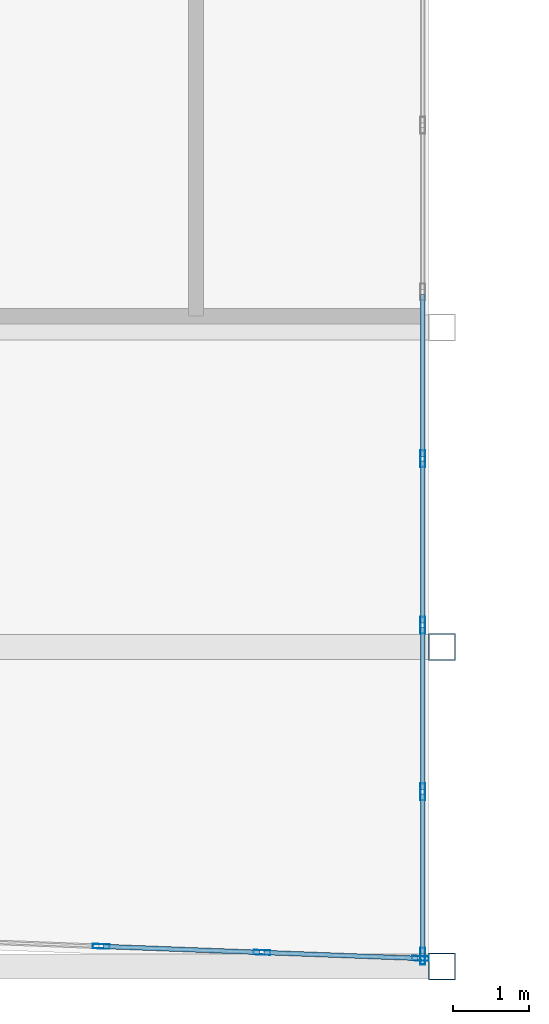
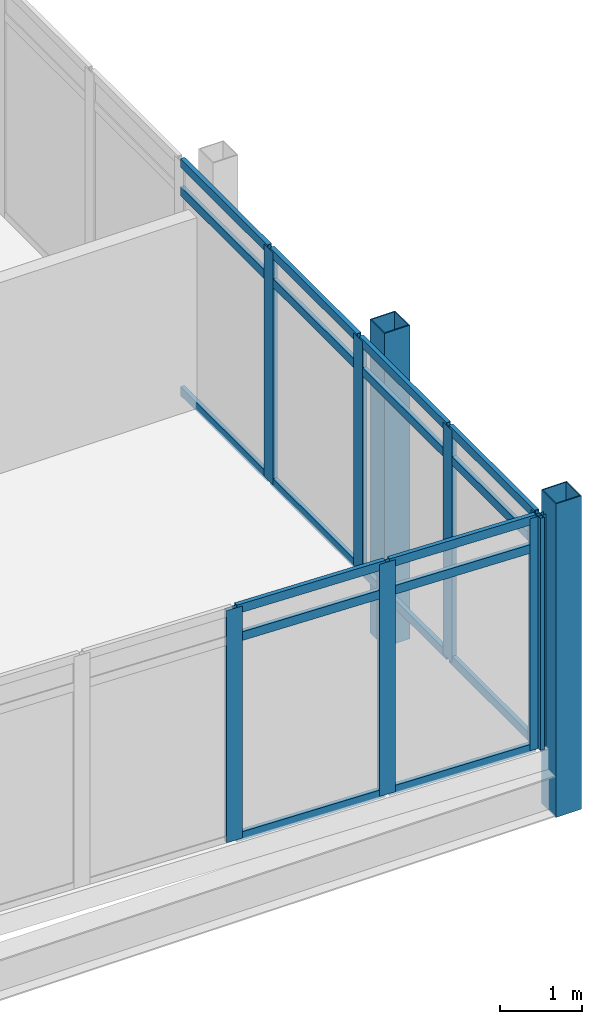
# One storey, part 6 of 25: 27 members, 2 elements without a shape of their own.
"""IFC4 building model written with IfcOpenShell, lengths in metres."""

from ifc_helpers import new_model, si_unit, direction, frame, origin, origin_2d, place, context, subcontext, project, spatial, hollow_rectangle, extrude, material, material_profile, profile_set, type_object, element, aggregate, save


model = new_model("IFC4")

# Units and contexts
model_context = context("Model", 3, precision=1e-05, world=origin(), true_north=direction((0.0, 1.0)))
body_context = subcontext(model_context, "Body", "Model", "MODEL_VIEW")
ifc_project = project(units=[si_unit("LENGTHUNIT", "METRE"), si_unit("AREAUNIT", "SQUARE_METRE"), si_unit("VOLUMEUNIT", "CUBIC_METRE"), si_unit("PLANEANGLEUNIT", "RADIAN"), si_unit("MASSUNIT", "GRAM", prefix="KILO")], contexts=[model_context])

# Site, building, storey
site_placement = place(None, origin())
site = spatial("IfcSite", under=ifc_project, at=site_placement, CompositionType="ELEMENT")
building_placement = place(site_placement, origin())
building = spatial("IfcBuilding", under=site, at=building_placement, Name="Ostrander Bayou Hotel Tower", CompositionType="ELEMENT")
storey_placement = place(building_placement, frame((0.0, 0.0, 233.25)))
storey = spatial("IfcBuildingStorey", under=building, at=storey_placement, Name="L58", CompositionType="ELEMENT", Elevation=233.25)

# Curtain wall, members
ifc_material_1 = material(Name="Aluminium and clear glass", Category="aluminium")
curtain_wall_type = type_object("IfcCurtainWallType", Name="CW-BAR glazed wall", PredefinedType="NOTDEFINED", material=ifc_material_1)
curtain_wall_1_placement = place(storey_placement, origin())
curtain_wall_1 = element("IfcCurtainWall", 1, at=curtain_wall_1_placement, inside=storey, type_object=curtain_wall_type, Name="CW-BAR L58:SB5S:T", PredefinedType="NOTDEFINED")
ifc_material_2 = material(Name="Aluminium", Category="aluminium")
ifc_material_profile_1 = material_profile(ifc_material_2, hollow_rectangle(XDim=0.06005859375, YDim=0.219970703125, WallThickness=0.00390625, at=origin_2d()))
ifc_profile_set_1 = profile_set([ifc_material_profile_1], Name="Aluminium")
member_type_1 = type_object("IfcMemberType", Name="CW-BR mullion 60 x 220 mm", PredefinedType="MULLION", material=ifc_profile_set_1)
member_1_placement = place(storey_placement, frame((6.307373046875, -29.23828125, 0.0), z_axis=(0.0, 0.0, 1.0), x_axis=(0.037757725854, 0.99928692283, 0.0)))
member_1 = element("IfcMember", 2, at=member_1_placement, type_object=member_type_1, Name="CW-BAR mullion 9", PredefinedType="MULLION", context=body_context, shape_type="SweptSolid", body=[
    extrude(hollow_rectangle(XDim=0.06005859375, YDim=0.219970703125, WallThickness=0.00390625, at=origin_2d()), origin(), (0.0, 0.0, 1.0), 3.449951171875),
])
member_2_placement = place(storey_placement, frame((8.40966796875, -29.31787109375, 0.0), z_axis=(0.0, 0.0, 1.0), x_axis=(0.037757725854, 0.99928692283, 0.0)))
member_2 = element("IfcMember", 3, at=member_2_placement, type_object=member_type_1, Name="CW-BAR mullion 10", PredefinedType="MULLION", context=body_context, shape_type="SweptSolid", body=[
    extrude(hollow_rectangle(XDim=0.06005859375, YDim=0.219970703125, WallThickness=0.00390625, at=origin_2d()), origin(), (0.0, 0.0, 1.0), 3.449951171875),
])
member_3_placement = place(storey_placement, frame((10.482177734375, -29.39599609375, 0.0), z_axis=(0.0, 0.0, 1.0), x_axis=(0.037757725854, 0.99928692283, 0.0)))
member_3 = element("IfcMember", 4, at=member_3_placement, type_object=member_type_1, Name="CW-BAR mullion 11", PredefinedType="MULLION", context=body_context, shape_type="SweptSolid", body=[
    extrude(hollow_rectangle(XDim=0.06005859375, YDim=0.219970703125, WallThickness=0.00390625, at=origin_2d()), origin(), (0.0, 0.0, 1.0), 3.449951171875),
])

curtain_wall_2_placement = place(storey_placement, origin())
curtain_wall_2 = element("IfcCurtainWall", 5, at=curtain_wall_2_placement, inside=storey, type_object=curtain_wall_type, Name="CW-BAR L58:SB5S:W", PredefinedType="NOTDEFINED")
member_4_placement = place(storey_placement, frame((10.51220703125, -22.8623046875, 0.0), z_axis=(0.0, 0.0, 1.0), x_axis=(1.0, 0.0, 0.0)))
member_4 = element("IfcMember", 6, at=member_4_placement, type_object=member_type_1, Name="CW-BAR mullion 7", PredefinedType="MULLION", context=body_context, shape_type="SweptSolid", body=[
    extrude(hollow_rectangle(XDim=0.06005859375, YDim=0.219970703125, WallThickness=0.00390625, at=origin_2d()), origin(), (0.0, 0.0, 1.0), 3.449951171875),
])
member_5_placement = place(storey_placement, frame((10.51220703125, -25.04052734375, 0.0), z_axis=(0.0, 0.0, 1.0), x_axis=(1.0, 0.0, 0.0)))
member_5 = element("IfcMember", 7, at=member_5_placement, type_object=member_type_1, Name="CW-BAR mullion 8", PredefinedType="MULLION", context=body_context, shape_type="SweptSolid", body=[
    extrude(hollow_rectangle(XDim=0.06005859375, YDim=0.219970703125, WallThickness=0.00390625, at=origin_2d()), origin(), (0.0, 0.0, 1.0), 3.449951171875),
])
member_6_placement = place(storey_placement, frame((10.51220703125, -27.218994140625, 0.0), z_axis=(0.0, 0.0, 1.0), x_axis=(1.0, 0.0, 0.0)))
member_6 = element("IfcMember", 8, at=member_6_placement, type_object=member_type_1, Name="CW-BAR mullion 9", PredefinedType="MULLION", context=body_context, shape_type="SweptSolid", body=[
    extrude(hollow_rectangle(XDim=0.06005859375, YDim=0.219970703125, WallThickness=0.00390625, at=origin_2d()), origin(), (0.0, 0.0, 1.0), 3.449951171875),
])
member_7_placement = place(storey_placement, frame((10.51220703125, -29.3671875, 0.0), z_axis=(0.0, 0.0, 1.0), x_axis=(1.0, 0.0, 0.0)))
member_7 = element("IfcMember", 9, at=member_7_placement, type_object=member_type_1, Name="CW-BAR mullion 10", PredefinedType="MULLION", context=body_context, shape_type="SweptSolid", body=[
    extrude(hollow_rectangle(XDim=0.06005859375, YDim=0.219970703125, WallThickness=0.00390625, at=origin_2d()), origin(), (0.0, 0.0, 1.0), 3.449951171875),
])

# Member
ifc_material_3 = material(Name="Aluminium", Category="aluminium")
ifc_material_profile_2 = material_profile(ifc_material_3, hollow_rectangle(XDim=0.06005859375, YDim=0.1298828125, WallThickness=0.00390625, at=origin_2d()))
ifc_profile_set_2 = profile_set([ifc_material_profile_2], Name="Aluminium")
member_type_2 = type_object("IfcMemberType", Name="CW-BR transom 60 x 130 mm", PredefinedType="USERDEFINED", material=ifc_profile_set_2)
member_8_placement = place(storey_placement, frame((6.33740234375, -29.239501953125, 0.030029296875), z_axis=(0.999287402917, -0.037745017849, 0.0), x_axis=(0.037745017849, 0.999287402917, 0.0)))
member_8 = element("IfcMember", 10, at=member_8_placement, type_object=member_type_2, Name="CW-BAR transom 9.1", ObjectType="TRANSOM", PredefinedType="USERDEFINED", context=body_context, shape_type="SweptSolid", body=[
    extrude(hollow_rectangle(XDim=0.06005859375, YDim=0.1298828125, WallThickness=0.00390625, at=origin_2d()), origin(), (0.0, 0.0, 1.0), 2.0439453125),
])

member_9_placement = place(storey_placement, frame((6.33740234375, -29.239501953125, 3.0), z_axis=(0.999287402917, -0.037745017849, 0.0), x_axis=(0.037745017849, 0.999287402917, 0.0)))
member_9 = element("IfcMember", 11, at=member_9_placement, type_object=member_type_2, Name="CW-BAR transom 9.2", ObjectType="TRANSOM", PredefinedType="USERDEFINED", context=body_context, shape_type="SweptSolid", body=[
    extrude(hollow_rectangle(XDim=0.06005859375, YDim=0.1298828125, WallThickness=0.00390625, at=origin_2d()), origin(), (0.0, 0.0, 1.0), 2.0439453125),
])

member_10_placement = place(storey_placement, frame((6.33740234375, -29.239501953125, 3.419921875), z_axis=(0.999287402917, -0.037745017849, 0.0), x_axis=(0.037745017849, 0.999287402917, 0.0)))
member_10 = element("IfcMember", 12, at=member_10_placement, type_object=member_type_2, Name="CW-BAR transom 9.3", ObjectType="TRANSOM", PredefinedType="USERDEFINED", context=body_context, shape_type="SweptSolid", body=[
    extrude(hollow_rectangle(XDim=0.06005859375, YDim=0.1298828125, WallThickness=0.00390625, at=origin_2d()), origin(), (0.0, 0.0, 1.0), 2.0439453125),
])

member_11_placement = place(storey_placement, frame((8.439697265625, -29.31884765625, 0.030029296875), z_axis=(0.999284446259, -0.0378232133, 0.0), x_axis=(0.0378232133, 0.999284446259, 0.0)))
member_11 = element("IfcMember", 13, at=member_11_placement, type_object=member_type_2, Name="CW-BAR transom 10.1", ObjectType="TRANSOM", PredefinedType="USERDEFINED", context=body_context, shape_type="SweptSolid", body=[
    extrude(hollow_rectangle(XDim=0.06005859375, YDim=0.1298828125, WallThickness=0.00390625, at=origin_2d()), origin(), (0.0, 0.0, 1.0), 2.013916015625),
])

member_12_placement = place(storey_placement, frame((8.439697265625, -29.31884765625, 3.0), z_axis=(0.999284446259, -0.0378232133, 0.0), x_axis=(0.0378232133, 0.999284446259, 0.0)))
member_12 = element("IfcMember", 14, at=member_12_placement, type_object=member_type_2, Name="CW-BAR transom 10.2", ObjectType="TRANSOM", PredefinedType="USERDEFINED", context=body_context, shape_type="SweptSolid", body=[
    extrude(hollow_rectangle(XDim=0.06005859375, YDim=0.1298828125, WallThickness=0.00390625, at=origin_2d()), origin(), (0.0, 0.0, 1.0), 2.013916015625),
])

member_13_placement = place(storey_placement, frame((8.439697265625, -29.31884765625, 3.419921875), z_axis=(0.999284446259, -0.0378232133, 0.0), x_axis=(0.0378232133, 0.999284446259, 0.0)))
member_13 = element("IfcMember", 15, at=member_13_placement, type_object=member_type_2, Name="CW-BAR transom 10.3", ObjectType="TRANSOM", PredefinedType="USERDEFINED", context=body_context, shape_type="SweptSolid", body=[
    extrude(hollow_rectangle(XDim=0.06005859375, YDim=0.1298828125, WallThickness=0.00390625, at=origin_2d()), origin(), (0.0, 0.0, 1.0), 2.013916015625),
])

aggregate(curtain_wall_1, [member_1, member_2, member_3, member_8, member_9, member_10, member_11, member_12, member_13])

member_14_placement = place(storey_placement, frame((10.51220703125, -20.7138671875, 0.030029296875), z_axis=(0.0, -1.0, 0.0), x_axis=(1.0, 0.0, 0.0)))
member_14 = element("IfcMember", 16, at=member_14_placement, type_object=member_type_2, Name="CW-BAR transom 6.1", ObjectType="TRANSOM", PredefinedType="USERDEFINED", context=body_context, shape_type="SweptSolid", body=[
    extrude(hollow_rectangle(XDim=0.06005859375, YDim=0.1298828125, WallThickness=0.00390625, at=origin_2d()), origin(), (0.0, 0.0, 1.0), 2.118408203125),
])

member_15_placement = place(storey_placement, frame((10.51220703125, -20.7138671875, 3.0), z_axis=(0.0, -1.0, 0.0), x_axis=(1.0, 0.0, 0.0)))
member_15 = element("IfcMember", 17, at=member_15_placement, type_object=member_type_2, Name="CW-BAR transom 6.2", ObjectType="TRANSOM", PredefinedType="USERDEFINED", context=body_context, shape_type="SweptSolid", body=[
    extrude(hollow_rectangle(XDim=0.06005859375, YDim=0.1298828125, WallThickness=0.00390625, at=origin_2d()), origin(), (0.0, 0.0, 1.0), 2.118408203125),
])

member_16_placement = place(storey_placement, frame((10.51220703125, -20.7138671875, 3.419921875), z_axis=(0.0, -1.0, 0.0), x_axis=(1.0, 0.0, 0.0)))
member_16 = element("IfcMember", 18, at=member_16_placement, type_object=member_type_2, Name="CW-BAR transom 6.3", ObjectType="TRANSOM", PredefinedType="USERDEFINED", context=body_context, shape_type="SweptSolid", body=[
    extrude(hollow_rectangle(XDim=0.06005859375, YDim=0.1298828125, WallThickness=0.00390625, at=origin_2d()), origin(), (0.0, 0.0, 1.0), 2.118408203125),
])

member_17_placement = place(storey_placement, frame((10.51220703125, -22.892333984375, 0.030029296875), z_axis=(0.0, -1.0, 0.0), x_axis=(1.0, 0.0, 0.0)))
member_17 = element("IfcMember", 19, at=member_17_placement, type_object=member_type_2, Name="CW-BAR transom 7.1", ObjectType="TRANSOM", PredefinedType="USERDEFINED", context=body_context, shape_type="SweptSolid", body=[
    extrude(hollow_rectangle(XDim=0.06005859375, YDim=0.1298828125, WallThickness=0.00390625, at=origin_2d()), origin(), (0.0, 0.0, 1.0), 2.1181640625),
])

member_18_placement = place(storey_placement, frame((10.51220703125, -22.892333984375, 3.0), z_axis=(0.0, -1.0, 0.0), x_axis=(1.0, 0.0, 0.0)))
member_18 = element("IfcMember", 20, at=member_18_placement, type_object=member_type_2, Name="CW-BAR transom 7.2", ObjectType="TRANSOM", PredefinedType="USERDEFINED", context=body_context, shape_type="SweptSolid", body=[
    extrude(hollow_rectangle(XDim=0.06005859375, YDim=0.1298828125, WallThickness=0.00390625, at=origin_2d()), origin(), (0.0, 0.0, 1.0), 2.1181640625),
])

member_19_placement = place(storey_placement, frame((10.51220703125, -22.892333984375, 3.419921875), z_axis=(0.0, -1.0, 0.0), x_axis=(1.0, 0.0, 0.0)))
member_19 = element("IfcMember", 21, at=member_19_placement, type_object=member_type_2, Name="CW-BAR transom 7.3", ObjectType="TRANSOM", PredefinedType="USERDEFINED", context=body_context, shape_type="SweptSolid", body=[
    extrude(hollow_rectangle(XDim=0.06005859375, YDim=0.1298828125, WallThickness=0.00390625, at=origin_2d()), origin(), (0.0, 0.0, 1.0), 2.1181640625),
])

member_20_placement = place(storey_placement, frame((10.51220703125, -25.070556640625, 0.030029296875), z_axis=(0.0, -1.0, 0.0), x_axis=(1.0, 0.0, 0.0)))
member_20 = element("IfcMember", 22, at=member_20_placement, type_object=member_type_2, Name="CW-BAR transom 8.1", ObjectType="TRANSOM", PredefinedType="USERDEFINED", context=body_context, shape_type="SweptSolid", body=[
    extrude(hollow_rectangle(XDim=0.06005859375, YDim=0.1298828125, WallThickness=0.00390625, at=origin_2d()), origin(), (0.0, 0.0, 1.0), 2.118408203125),
])

member_21_placement = place(storey_placement, frame((10.51220703125, -25.070556640625, 3.0), z_axis=(0.0, -1.0, 0.0), x_axis=(1.0, 0.0, 0.0)))
member_21 = element("IfcMember", 23, at=member_21_placement, type_object=member_type_2, Name="CW-BAR transom 8.2", ObjectType="TRANSOM", PredefinedType="USERDEFINED", context=body_context, shape_type="SweptSolid", body=[
    extrude(hollow_rectangle(XDim=0.06005859375, YDim=0.1298828125, WallThickness=0.00390625, at=origin_2d()), origin(), (0.0, 0.0, 1.0), 2.118408203125),
])

member_22_placement = place(storey_placement, frame((10.51220703125, -25.070556640625, 3.419921875), z_axis=(0.0, -1.0, 0.0), x_axis=(1.0, 0.0, 0.0)))
member_22 = element("IfcMember", 24, at=member_22_placement, type_object=member_type_2, Name="CW-BAR transom 8.3", ObjectType="TRANSOM", PredefinedType="USERDEFINED", context=body_context, shape_type="SweptSolid", body=[
    extrude(hollow_rectangle(XDim=0.06005859375, YDim=0.1298828125, WallThickness=0.00390625, at=origin_2d()), origin(), (0.0, 0.0, 1.0), 2.118408203125),
])

member_23_placement = place(storey_placement, frame((10.51220703125, -27.248779296875, 0.030029296875), z_axis=(0.0, -1.0, 0.0), x_axis=(1.0, 0.0, 0.0)))
member_23 = element("IfcMember", 25, at=member_23_placement, type_object=member_type_2, Name="CW-BAR transom 9.1", ObjectType="TRANSOM", PredefinedType="USERDEFINED", context=body_context, shape_type="SweptSolid", body=[
    extrude(hollow_rectangle(XDim=0.06005859375, YDim=0.1298828125, WallThickness=0.00390625, at=origin_2d()), origin(), (0.0, 0.0, 1.0), 2.08837890625),
])

member_24_placement = place(storey_placement, frame((10.51220703125, -27.248779296875, 3.0), z_axis=(0.0, -1.0, 0.0), x_axis=(1.0, 0.0, 0.0)))
member_24 = element("IfcMember", 26, at=member_24_placement, type_object=member_type_2, Name="CW-BAR transom 9.2", ObjectType="TRANSOM", PredefinedType="USERDEFINED", context=body_context, shape_type="SweptSolid", body=[
    extrude(hollow_rectangle(XDim=0.06005859375, YDim=0.1298828125, WallThickness=0.00390625, at=origin_2d()), origin(), (0.0, 0.0, 1.0), 2.08837890625),
])

member_25_placement = place(storey_placement, frame((10.51220703125, -27.248779296875, 3.419921875), z_axis=(0.0, -1.0, 0.0), x_axis=(1.0, 0.0, 0.0)))
member_25 = element("IfcMember", 27, at=member_25_placement, type_object=member_type_2, Name="CW-BAR transom 9.3", ObjectType="TRANSOM", PredefinedType="USERDEFINED", context=body_context, shape_type="SweptSolid", body=[
    extrude(hollow_rectangle(XDim=0.06005859375, YDim=0.1298828125, WallThickness=0.00390625, at=origin_2d()), origin(), (0.0, 0.0, 1.0), 2.08837890625),
])

aggregate(curtain_wall_2, [member_4, member_5, member_6, member_7, member_14, member_15, member_16, member_17, member_18, member_19, member_20, member_21, member_22, member_23, member_24, member_25])

# Members
ifc_material_4 = material(Name="Steel ASTM A500 Gr C", Category="steel")
ifc_material_profile_3 = material_profile(ifc_material_4, hollow_rectangle(XDim=0.355712890625, YDim=0.355712890625, WallThickness=0.0146484375, at=origin_2d()))
ifc_profile_set_3 = profile_set([ifc_material_profile_3], Name="Steel ASTM A500 Gr C")
member_type_3 = type_object("IfcMemberType", Name="TH1 bar hanger HSS14x14x5/8", PredefinedType="POST", material=ifc_profile_set_3)
for number, where, z_axis, x_axis, name in (
    (28, (10.764892578125, -25.32373046875, -0.9111328125), (0.0, 0.0, 1.0), (1.0, 0.0, 0.0), "TH1 SB5SB H2-4"),
    (29, (10.764892578125, -29.5, -0.9111328125), (0.0, 0.0, 1.0), (1.0, 0.0, 0.0), "TH1 SB5SB H3-4"),
):
    element("IfcMember", number, at=place(storey_placement, frame(where, z_axis=z_axis, x_axis=x_axis)), inside=storey, type_object=member_type_3, Name=name, PredefinedType="POST", context=body_context, shape_type="SweptSolid", body=[
        extrude(hollow_rectangle(XDim=0.355712890625, YDim=0.355712890625, WallThickness=0.0146484375, at=origin_2d()), origin(), (0.0, 0.0, 1.0), 4.6611328125),
    ])

save(model, "model.ifc")
